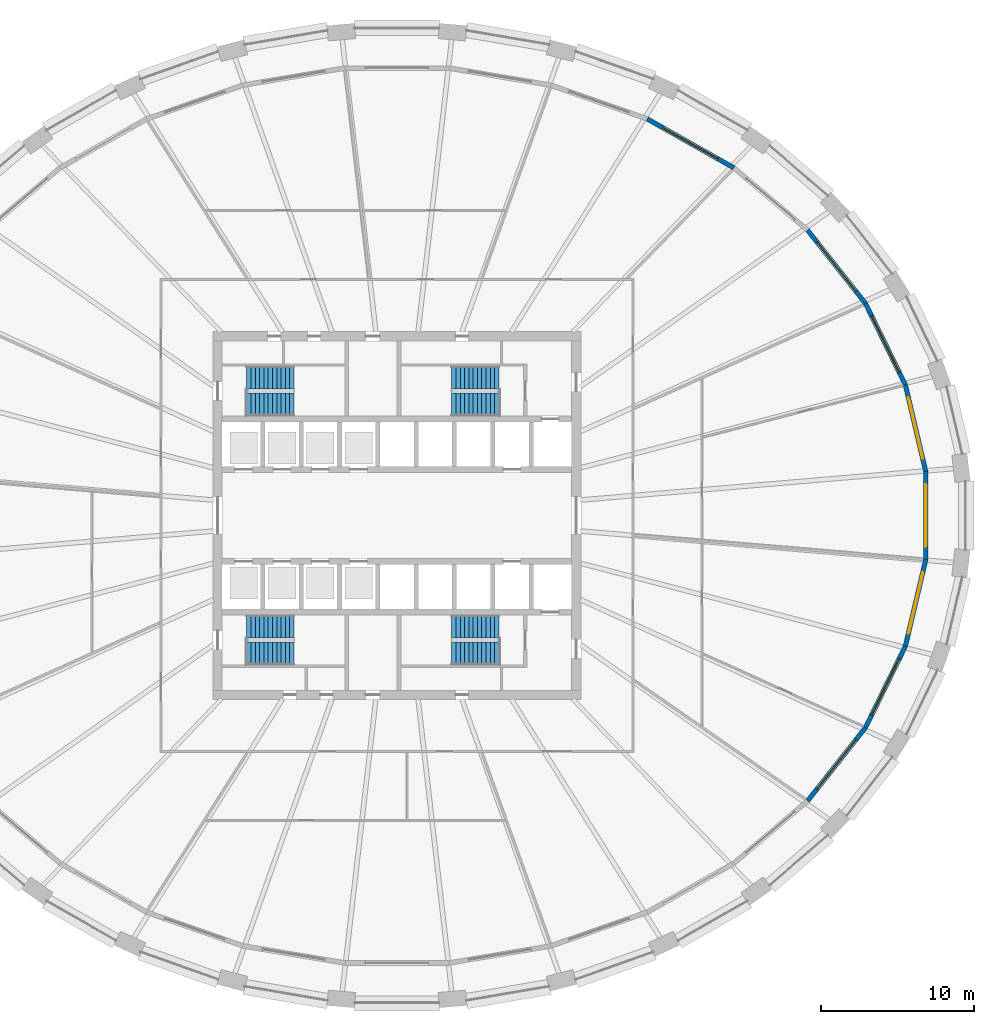
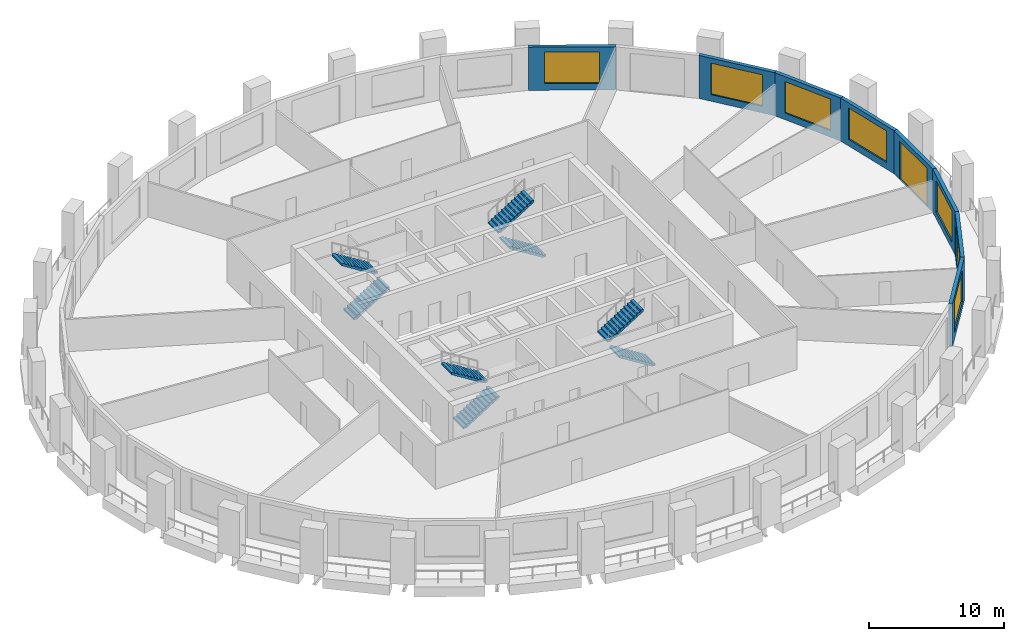
# One storey, part 7 of 10: 8 stair flights, 8 walls, 7 windows, 1 door, 8 openings, 4 elements without a shape of their own.
"""IFC4 building model written with IfcOpenShell, lengths in metres."""

from ifc_helpers import new_model, si_unit, direction, frame, frame_2d, origin, place, context, subcontext, project, spatial, polyline, rectangle, outline, extrude, material, layer, layer_set, type_object, element, fill, aggregate, save


model = new_model("IFC4")

# Units and contexts
model_context = context("Model", 3, precision=1e-05, world=origin(), true_north=direction((0.0, 1.0)))
body_context = subcontext(model_context, "Body", "Model", "MODEL_VIEW")
ifc_project = project(units=[si_unit("LENGTHUNIT", "METRE"), si_unit("AREAUNIT", "SQUARE_METRE"), si_unit("VOLUMEUNIT", "CUBIC_METRE"), si_unit("PLANEANGLEUNIT", "RADIAN"), si_unit("MASSUNIT", "GRAM", prefix="KILO")], contexts=[model_context])

# Site, building, storey
site_placement = place(None, origin())
site = spatial("IfcSite", under=ifc_project, at=site_placement, CompositionType="ELEMENT")
building_placement = place(site_placement, origin())
building = spatial("IfcBuilding", under=site, at=building_placement, Name="Halqa Exchange Tower", CompositionType="ELEMENT")
storey_placement = place(building_placement, frame((0.0, 0.0, 57.10009765625)))
storey = spatial("IfcBuildingStorey", under=building, at=storey_placement, Name="L12", CompositionType="ELEMENT", Elevation=57.10009765625)

# Wall, opening, window
ifc_material_1 = material(Name="Limestone cladding", Category="masonry")
ifc_layer_1 = layer(ifc_material_1, 0.0400390625)
ifc_material_2 = material(Name="Ventilated cavity")
ifc_layer_2 = layer(ifc_material_2, 0.030029296875, ventilated=True)
ifc_material_3 = material(Name="Mineral wool insulation")
ifc_layer_3 = layer(ifc_material_3, 0.10009765625)
ifc_material_4 = material(Name="Concrete C30/37", Category="concrete")
ifc_layer_4 = layer(ifc_material_4, 0.10009765625)
ifc_material_5 = material(Name="Internal plaster")
ifc_layer_5 = layer(ifc_material_5, 0.030029296875)
ifc_layer_set = layer_set([ifc_layer_1, ifc_layer_2, ifc_layer_3, ifc_layer_4, ifc_layer_5], Name="Stone-faced insulated wall 300")
wall_type = type_object("IfcWallType", Name="Stone-faced insulated wall 300", PredefinedType="STANDARD", material=ifc_layer_set)
wall_1_placement = place(storey_placement, frame((34.49951171875, 2.8779296875, 0.0), z_axis=(0.0, 0.0, 1.0), x_axis=(-0.228990053972, 0.973428762253, 0.0)))
wall_1 = element("IfcWall", 1, at=wall_1_placement, inside=storey, type_object=wall_type, Name="Glass-line wall 1", PredefinedType="STANDARD", context=body_context, shape_type="SweptSolid", body=[
    extrude(outline(polyline([(-0.017333984375, -0.14990234375), (5.815673828125, -0.14990234375), (5.781982421875, 0.14990234375), (0.017333984375, 0.14990234375), (-0.017333984375, -0.14990234375)])), origin(), (0.0, 0.0, 1.0), 3.89990234375),
])
opening_1_placement = place(wall_1_placement, frame((0.849365234375, 0.0, 0.60009765625)))
opening_1 = element("IfcOpeningElement", 2, at=opening_1_placement, cuts=wall_1, Name="Opening W-F1-01", PredefinedType="OPENING", context=body_context, shape_type="SweptSolid", body=[
    extrude(rectangle(XDim=4.10009765625, YDim=2.85009765625, at=frame_2d((2.050048828125, 1.425048828125))), frame((0.0, 0.162109375, 0.0), z_axis=(0.0, -1.0, 0.0), x_axis=(1.0, 0.0, 0.0)), (0.0, 0.0, 1.0), 0.323974609375),
])
ifc_material_6 = material(Name="Clear low-emissivity glass in aluminium frame", Category="aluminium")
window_type = type_object("IfcWindowType", Name="Fixed clear glazed window 4100 x 2850", PartitioningType="TRIPLE_PANEL_VERTICAL", PredefinedType="WINDOW", material=ifc_material_6)
window_1_placement = place(opening_1_placement, origin())
window_1 = element("IfcWindow", 3, at=window_1_placement, inside=storey, type_object=window_type, Name="Window 1", OverallHeight=2.85009765625, OverallWidth=4.10009765625, PartitioningType="TRIPLE_PANEL_VERTICAL", PredefinedType="WINDOW", context=body_context, shape_type="SweptSolid", body=[
    extrude(rectangle(XDim=4.10009765625, YDim=2.85009765625, at=frame_2d((2.050048828125, 1.425048828125))), frame((0.0, 0.030029296875, 0.0), z_axis=(0.0, -1.0, 0.0), x_axis=(1.0, 0.0, 0.0)), (0.0, 0.0, 1.0), 0.06005859375),
])
fill(opening_1, window_1)

wall_2_placement = place(storey_placement, frame((33.171630859375, 8.522705078125, 0.0), z_axis=(0.0, 0.0, 1.0), x_axis=(-0.439906146647, 0.898043752911, 0.0)))
wall_2 = element("IfcWall", 4, at=wall_2_placement, inside=storey, type_object=wall_type, Name="Glass-line wall 2", PredefinedType="STANDARD", context=body_context, shape_type="SweptSolid", body=[
    extrude(outline(polyline([(-0.016845703125, -0.14990234375), (5.93505859375, -0.14990234375), (5.90283203125, 0.14990234375), (0.016845703125, 0.14990234375), (-0.016845703125, -0.14990234375)])), origin(), (0.0, 0.0, 1.0), 3.89990234375),
])
opening_2_placement = place(wall_2_placement, frame((0.909423828125, 0.0, 0.60009765625)))
opening_2 = element("IfcOpeningElement", 5, at=opening_2_placement, cuts=wall_2, Name="Opening W-F1-02", PredefinedType="OPENING", context=body_context, shape_type="SweptSolid", body=[
    extrude(rectangle(XDim=4.10009765625, YDim=2.85009765625, at=frame_2d((2.050048828125, 1.425048828125))), frame((0.0, 0.162109375, 0.0), z_axis=(0.0, -1.0, 0.0), x_axis=(1.0, 0.0, 0.0)), (0.0, 0.0, 1.0), 0.323974609375),
])
window_2_placement = place(opening_2_placement, origin())
window_2 = element("IfcWindow", 6, at=window_2_placement, inside=storey, type_object=window_type, Name="Window 1", OverallHeight=2.85009765625, OverallWidth=4.10009765625, PartitioningType="TRIPLE_PANEL_VERTICAL", PredefinedType="WINDOW", context=body_context, shape_type="SweptSolid", body=[
    extrude(rectangle(XDim=4.10009765625, YDim=2.85009765625, at=frame_2d((2.050048828125, 1.425048828125))), frame((0.0, 0.030029296875, 0.0), z_axis=(0.0, -1.0, 0.0), x_axis=(1.0, 0.0, 0.0)), (0.0, 0.0, 1.0), 0.06005859375),
])
fill(opening_2, window_2)

wall_3_placement = place(storey_placement, frame((30.56787109375, 13.838134765625, 0.0), z_axis=(0.0, 0.0, 1.0), x_axis=(-0.619993638342, 0.78460683684, 0.0)))
wall_3 = element("IfcWall", 7, at=wall_3_placement, inside=storey, type_object=wall_type, Name="Glass-line wall 3", PredefinedType="STANDARD", context=body_context, shape_type="SweptSolid", body=[
    extrude(outline(polyline([(-0.01611328125, -0.14990234375), (6.109375, -0.14990234375), (6.0791015625, 0.14990234375), (0.01611328125, 0.14990234375), (-0.01611328125, -0.14990234375)])), origin(), (0.0, 0.0, 1.0), 3.89990234375),
])
opening_3_placement = place(wall_3_placement, frame((0.9970703125, 0.0, 0.60009765625)))
opening_3 = element("IfcOpeningElement", 8, at=opening_3_placement, cuts=wall_3, Name="Opening W-F1-03", PredefinedType="OPENING", context=body_context, shape_type="SweptSolid", body=[
    extrude(rectangle(XDim=4.10009765625, YDim=2.85009765625, at=frame_2d((2.050048828125, 1.425048828125))), frame((0.0, 0.162109375, 0.0), z_axis=(0.0, -1.0, 0.0), x_axis=(1.0, 0.0, 0.0)), (0.0, 0.0, 1.0), 0.323974609375),
])
window_3_placement = place(opening_3_placement, origin())
window_3 = element("IfcWindow", 9, at=window_3_placement, inside=storey, type_object=window_type, Name="Window 1", OverallHeight=2.85009765625, OverallWidth=4.10009765625, PartitioningType="TRIPLE_PANEL_VERTICAL", PredefinedType="WINDOW", context=body_context, shape_type="SweptSolid", body=[
    extrude(rectangle(XDim=4.10009765625, YDim=2.85009765625, at=frame_2d((2.050048828125, 1.425048828125))), frame((0.0, 0.030029296875, 0.0), z_axis=(0.0, -1.0, 0.0), x_axis=(1.0, 0.0, 0.0)), (0.0, 0.0, 1.0), 0.06005859375),
])
fill(opening_3, window_3)

wall_4_placement = place(storey_placement, frame((21.982666015625, 22.68408203125, 0.0), z_axis=(0.0, 0.0, 1.0), x_axis=(-0.870647609977, 0.491907246584, 0.0)))
wall_4 = element("IfcWall", 10, at=wall_4_placement, inside=storey, type_object=wall_type, Name="Glass-line wall 5", PredefinedType="STANDARD", context=body_context, shape_type="SweptSolid", body=[
    extrude(outline(polyline([(-0.01416015625, -0.14990234375), (6.502685546875, -0.14990234375), (6.475830078125, 0.14990234375), (0.01416015625, 0.14990234375), (-0.01416015625, -0.14990234375)])), origin(), (0.0, 0.0, 1.0), 3.89990234375),
])
opening_4_placement = place(wall_4_placement, frame((1.194580078125, 0.0, 0.60009765625)))
opening_4 = element("IfcOpeningElement", 11, at=opening_4_placement, cuts=wall_4, Name="Opening W-F1-05", PredefinedType="OPENING", context=body_context, shape_type="SweptSolid", body=[
    extrude(rectangle(XDim=4.10009765625, YDim=2.85009765625, at=frame_2d((2.050048828125, 1.425048828125))), frame((0.0, 0.162109375, 0.0), z_axis=(0.0, -1.0, 0.0), x_axis=(1.0, 0.0, 0.0)), (0.0, 0.0, 1.0), 0.323974609375),
])
window_4_placement = place(opening_4_placement, origin())
window_4 = element("IfcWindow", 12, at=window_4_placement, inside=storey, type_object=window_type, Name="Window 1", OverallHeight=2.85009765625, OverallWidth=4.10009765625, PartitioningType="TRIPLE_PANEL_VERTICAL", PredefinedType="WINDOW", context=body_context, shape_type="SweptSolid", body=[
    extrude(rectangle(XDim=4.10009765625, YDim=2.85009765625, at=frame_2d((2.050048828125, 1.425048828125))), frame((0.0, 0.030029296875, 0.0), z_axis=(0.0, -1.0, 0.0), x_axis=(1.0, 0.0, 0.0)), (0.0, 0.0, 1.0), 0.06005859375),
])
fill(opening_4, window_4)

wall_5_placement = place(storey_placement, frame((26.78955078125, -18.61962890625, 0.0), z_axis=(0.0, 0.0, 1.0), x_axis=(0.619993638342, 0.78460683684, 0.0)))
wall_5 = element("IfcWall", 13, at=wall_5_placement, inside=storey, type_object=wall_type, Name="Glass-line wall 29", PredefinedType="STANDARD", context=body_context, shape_type="SweptSolid", body=[
    extrude(outline(polyline([(-0.01513671875, -0.14990234375), (6.1103515625, -0.14990234375), (6.078125, 0.14990234375), (0.01513671875, 0.14990234375), (-0.01513671875, -0.14990234375)])), origin(), (0.0, 0.0, 1.0), 3.89990234375),
])
opening_5_placement = place(wall_5_placement, frame((0.9970703125, 0.0, 0.60009765625)))
opening_5 = element("IfcOpeningElement", 14, at=opening_5_placement, cuts=wall_5, Name="Opening W-F1-29", PredefinedType="OPENING", context=body_context, shape_type="SweptSolid", body=[
    extrude(rectangle(XDim=4.10009765625, YDim=2.85009765625, at=frame_2d((2.050048828125, 1.425048828125))), frame((0.0, 0.162109375, 0.0), z_axis=(0.0, -1.0, 0.0), x_axis=(1.0, 0.0, 0.0)), (0.0, 0.0, 1.0), 0.323974609375),
])
window_5_placement = place(opening_5_placement, origin())
window_5 = element("IfcWindow", 15, at=window_5_placement, inside=storey, type_object=window_type, Name="Window 1", OverallHeight=2.85009765625, OverallWidth=4.10009765625, PartitioningType="TRIPLE_PANEL_VERTICAL", PredefinedType="WINDOW", context=body_context, shape_type="SweptSolid", body=[
    extrude(rectangle(XDim=4.10009765625, YDim=2.85009765625, at=frame_2d((2.050048828125, 1.425048828125))), frame((0.0, 0.030029296875, 0.0), z_axis=(0.0, -1.0, 0.0), x_axis=(1.0, 0.0, 0.0)), (0.0, 0.0, 1.0), 0.06005859375),
])
fill(opening_5, window_5)

wall_6_placement = place(storey_placement, frame((30.56787109375, -13.838134765625, 0.0), z_axis=(0.0, 0.0, 1.0), x_axis=(0.439906146647, 0.898043752911, 0.0)))
wall_6 = element("IfcWall", 16, at=wall_6_placement, inside=storey, type_object=wall_type, Name="Glass-line wall 30", PredefinedType="STANDARD", context=body_context, shape_type="SweptSolid", body=[
    extrude(outline(polyline([(-0.01611328125, -0.14990234375), (5.935791015625, -0.14990234375), (5.902099609375, 0.14990234375), (0.01611328125, 0.14990234375), (-0.01611328125, -0.14990234375)])), origin(), (0.0, 0.0, 1.0), 3.89990234375),
])
opening_6_placement = place(wall_6_placement, frame((0.909423828125, 0.0, 0.60009765625)))
opening_6 = element("IfcOpeningElement", 17, at=opening_6_placement, cuts=wall_6, Name="Opening W-F1-30", PredefinedType="OPENING", context=body_context, shape_type="SweptSolid", body=[
    extrude(rectangle(XDim=4.10009765625, YDim=2.85009765625, at=frame_2d((2.050048828125, 1.425048828125))), frame((0.0, 0.162109375, 0.0), z_axis=(0.0, -1.0, 0.0), x_axis=(1.0, 0.0, 0.0)), (0.0, 0.0, 1.0), 0.323974609375),
])
window_6_placement = place(opening_6_placement, origin())
window_6 = element("IfcWindow", 18, at=window_6_placement, inside=storey, type_object=window_type, Name="Window 1", OverallHeight=2.85009765625, OverallWidth=4.10009765625, PartitioningType="TRIPLE_PANEL_VERTICAL", PredefinedType="WINDOW", context=body_context, shape_type="SweptSolid", body=[
    extrude(rectangle(XDim=4.10009765625, YDim=2.85009765625, at=frame_2d((2.050048828125, 1.425048828125))), frame((0.0, 0.030029296875, 0.0), z_axis=(0.0, -1.0, 0.0), x_axis=(1.0, 0.0, 0.0)), (0.0, 0.0, 1.0), 0.06005859375),
])
fill(opening_6, window_6)

wall_7_placement = place(storey_placement, frame((33.171630859375, -8.522705078125, 0.0), z_axis=(0.0, 0.0, 1.0), x_axis=(0.228990053972, 0.973428762253, 0.0)))
wall_7 = element("IfcWall", 19, at=wall_7_placement, inside=storey, type_object=wall_type, Name="Glass-line wall 31", PredefinedType="STANDARD", context=body_context, shape_type="SweptSolid", body=[
    extrude(outline(polyline([(-0.016845703125, -0.14990234375), (5.816162109375, -0.14990234375), (5.781494140625, 0.14990234375), (0.016845703125, 0.14990234375), (-0.016845703125, -0.14990234375)])), origin(), (0.0, 0.0, 1.0), 3.89990234375),
])
opening_7_placement = place(wall_7_placement, frame((0.849365234375, 0.0, 0.60009765625)))
opening_7 = element("IfcOpeningElement", 20, at=opening_7_placement, cuts=wall_7, Name="Opening W-F1-31", PredefinedType="OPENING", context=body_context, shape_type="SweptSolid", body=[
    extrude(rectangle(XDim=4.10009765625, YDim=2.85009765625, at=frame_2d((2.050048828125, 1.425048828125))), frame((0.0, 0.162109375, 0.0), z_axis=(0.0, -1.0, 0.0), x_axis=(1.0, 0.0, 0.0)), (0.0, 0.0, 1.0), 0.323974609375),
])
window_7_placement = place(opening_7_placement, origin())
window_7 = element("IfcWindow", 21, at=window_7_placement, inside=storey, type_object=window_type, Name="Window 1", OverallHeight=2.85009765625, OverallWidth=4.10009765625, PartitioningType="TRIPLE_PANEL_VERTICAL", PredefinedType="WINDOW", context=body_context, shape_type="SweptSolid", body=[
    extrude(rectangle(XDim=4.10009765625, YDim=2.85009765625, at=frame_2d((2.050048828125, 1.425048828125))), frame((0.0, 0.030029296875, 0.0), z_axis=(0.0, -1.0, 0.0), x_axis=(1.0, 0.0, 0.0)), (0.0, 0.0, 1.0), 0.06005859375),
])
fill(opening_7, window_7)

# Wall, opening, door
wall_8_placement = place(storey_placement, frame((34.49951171875, -2.8779296875, 0.0), z_axis=(0.0, 0.0, 1.0), x_axis=(0.0, 1.0, 0.0)))
wall_8 = element("IfcWall", 22, at=wall_8_placement, inside=storey, type_object=wall_type, Name="Glass-line wall 32", PredefinedType="STANDARD", context=body_context, shape_type="SweptSolid", body=[
    extrude(outline(polyline([(-0.017333984375, -0.14990234375), (5.773193359375, -0.14990234375), (5.738525390625, 0.14990234375), (0.017333984375, 0.14990234375), (-0.017333984375, -0.14990234375)])), origin(), (0.0, 0.0, 1.0), 3.89990234375),
])
opening_8_placement = place(wall_8_placement, frame((0.827880859375, 0.0, 0.0)))
opening_8 = element("IfcOpeningElement", 23, at=opening_8_placement, cuts=wall_8, Name="Opening LG-F1-08", PredefinedType="OPENING", context=body_context, shape_type="SweptSolid", body=[
    extrude(rectangle(XDim=4.10009765625, YDim=3.449951171875, at=frame_2d((2.050048828125, 1.72509765625))), frame((0.0, 0.162109375, 0.0), z_axis=(0.0, -1.0, 0.0), x_axis=(1.0, 0.0, 0.0)), (0.0, 0.0, 1.0), 0.323974609375),
])
door_type = type_object("IfcDoorType", Name="Glazed sliding loggia door 4100 x 3450", OperationType="DOUBLE_DOOR_SLIDING", PredefinedType="DOOR", material=ifc_material_6)
door_placement = place(opening_8_placement, origin())
door = element("IfcDoor", 24, at=door_placement, inside=storey, type_object=door_type, Name="Loggia door 8", OperationType="DOUBLE_DOOR_SLIDING", OverallHeight=3.449951171875, OverallWidth=4.10009765625, PredefinedType="DOOR", context=body_context, shape_type="SweptSolid", body=[
    extrude(rectangle(XDim=4.10009765625, YDim=3.449951171875, at=frame_2d((2.050048828125, 1.72509765625))), frame((0.0, 0.02490234375, 0.0), z_axis=(0.0, -1.0, 0.0), x_axis=(1.0, 0.0, 0.0)), (0.0, 0.0, 1.0), 0.050048828125),
])
fill(opening_8, door)

# Stair, stair flights
stair_type = type_object("IfcStairType", Name="Exit stair 1500 wide", PredefinedType="HALF_TURN_STAIR", material=ifc_material_4)
stair_1_placement = place(storey_placement, origin())
stair_1 = element("IfcStair", 25, at=stair_1_placement, inside=storey, type_object=stair_type, Name="Exit stair ST1", PredefinedType="HALF_TURN_STAIR")
stair_flight_type = type_object("IfcStairFlightType", Name="Stair flight 1500 wide", PredefinedType="STRAIGHT", material=ifc_material_4)
stair_flight_1_placement = place(storey_placement, frame((-9.800048828125, 7.25, 0.0), z_axis=(0.0, 0.0, 1.0), x_axis=(1.0, 0.0, 0.0)))
stair_flight_1 = element("IfcStairFlight", 26, at=stair_flight_1_placement, type_object=stair_flight_type, Name="ST1 flight 1", NumberOfRisers=12, NumberOfTreads=11, PredefinedType="STRAIGHT", RiserHeight=0.175, TreadLength=0.28, context=body_context, shape_type="SweptSolid", body=[
    extrude(outline(polyline([(0.0, 0.0), (0.0, 0.175048828125), (0.280029296875, 0.175048828125), (0.280029296875, 0.35009765625), (0.56005859375, 0.35009765625), (0.56005859375, 0.52490234375), (0.840087890625, 0.52490234375), (0.840087890625, 0.699951171875), (1.1201171875, 0.699951171875), (1.1201171875, 0.875), (1.39990234375, 0.875), (1.39990234375, 1.050048828125), (1.679931640625, 1.050048828125), (1.679931640625, 1.22509765625), (1.9599609375, 1.22509765625), (1.9599609375, 1.39990234375), (2.239990234375, 1.39990234375), (2.239990234375, 1.574951171875), (2.52001953125, 1.574951171875), (2.52001953125, 1.75), (2.800048828125, 1.75), (2.800048828125, 1.925048828125), (3.080078125, 1.925048828125), (3.080078125, 2.10009765625), (3.080078125, 1.748291015625), (0.28271484375, 0.0), (0.0, 0.0)])), frame((0.0, 0.75, 0.0), z_axis=(0.0, -1.0, 0.0), x_axis=(1.0, 0.0, 0.0)), (0.0, 0.0, 1.0), 1.5),
])
stair_flight_2_placement = place(storey_placement, frame((-6.719970703125, 9.0, 2.099853515625), z_axis=(0.0, 0.0, 1.0), x_axis=(-1.0, 0.0, 0.0)))
stair_flight_2 = element("IfcStairFlight", 27, at=stair_flight_2_placement, type_object=stair_flight_type, Name="ST1 flight 2", NumberOfRisers=12, NumberOfTreads=11, PredefinedType="STRAIGHT", RiserHeight=0.175, TreadLength=0.28, context=body_context, shape_type="SweptSolid", body=[
    extrude(outline(polyline([(0.0, 0.0), (0.0, 0.175048828125), (0.280029296875, 0.175048828125), (0.280029296875, 0.35009765625), (0.56005859375, 0.35009765625), (0.56005859375, 0.52490234375), (0.840087890625, 0.52490234375), (0.840087890625, 0.699951171875), (1.1201171875, 0.699951171875), (1.1201171875, 0.875), (1.39990234375, 0.875), (1.39990234375, 1.050048828125), (1.679931640625, 1.050048828125), (1.679931640625, 1.22509765625), (1.9599609375, 1.22509765625), (1.9599609375, 1.39990234375), (2.239990234375, 1.39990234375), (2.239990234375, 1.574951171875), (2.52001953125, 1.574951171875), (2.52001953125, 1.75), (2.800048828125, 1.75), (2.800048828125, 1.925048828125), (3.080078125, 1.925048828125), (3.080078125, 2.10009765625), (3.080078125, 1.748291015625), (0.28271484375, 0.0), (0.0, 0.0)])), frame((0.0, 0.75, 0.0), z_axis=(0.0, -1.0, 0.0), x_axis=(1.0, 0.0, 0.0)), (0.0, 0.0, 1.0), 1.5),
])
aggregate(stair_1, [stair_flight_1, stair_flight_2])

stair_2_placement = place(storey_placement, origin())
stair_2 = element("IfcStair", 28, at=stair_2_placement, inside=storey, type_object=stair_type, Name="Exit stair ST2", PredefinedType="HALF_TURN_STAIR")
stair_flight_3_placement = place(storey_placement, frame((6.64990234375, 7.25, 0.0), z_axis=(0.0, 0.0, 1.0), x_axis=(-1.0, 0.0, 0.0)))
stair_flight_3 = element("IfcStairFlight", 29, at=stair_flight_3_placement, type_object=stair_flight_type, Name="ST2 flight 1", NumberOfRisers=12, NumberOfTreads=11, PredefinedType="STRAIGHT", RiserHeight=0.175, TreadLength=0.28, context=body_context, shape_type="SweptSolid", body=[
    extrude(outline(polyline([(0.0, 0.0), (0.0, 0.175048828125), (0.280029296875, 0.175048828125), (0.280029296875, 0.35009765625), (0.56005859375, 0.35009765625), (0.56005859375, 0.52490234375), (0.840087890625, 0.52490234375), (0.840087890625, 0.699951171875), (1.1201171875, 0.699951171875), (1.1201171875, 0.875), (1.39990234375, 0.875), (1.39990234375, 1.050048828125), (1.679931640625, 1.050048828125), (1.679931640625, 1.22509765625), (1.9599609375, 1.22509765625), (1.9599609375, 1.39990234375), (2.239990234375, 1.39990234375), (2.239990234375, 1.574951171875), (2.52001953125, 1.574951171875), (2.52001953125, 1.75), (2.800048828125, 1.75), (2.800048828125, 1.925048828125), (3.080078125, 1.925048828125), (3.080078125, 2.10009765625), (3.080078125, 1.748291015625), (0.28271484375, 0.0), (0.0, 0.0)])), frame((0.0, 0.75, 0.0), z_axis=(0.0, -1.0, 0.0), x_axis=(1.0, 0.0, 0.0)), (0.0, 0.0, 1.0), 1.5),
])
stair_flight_4_placement = place(storey_placement, frame((3.570068359375, 9.0, 2.099853515625), z_axis=(0.0, 0.0, 1.0), x_axis=(1.0, 0.0, 0.0)))
stair_flight_4 = element("IfcStairFlight", 30, at=stair_flight_4_placement, type_object=stair_flight_type, Name="ST2 flight 2", NumberOfRisers=12, NumberOfTreads=11, PredefinedType="STRAIGHT", RiserHeight=0.175, TreadLength=0.28, context=body_context, shape_type="SweptSolid", body=[
    extrude(outline(polyline([(0.0, 0.0), (0.0, 0.175048828125), (0.280029296875, 0.175048828125), (0.280029296875, 0.35009765625), (0.56005859375, 0.35009765625), (0.56005859375, 0.52490234375), (0.840087890625, 0.52490234375), (0.840087890625, 0.699951171875), (1.1201171875, 0.699951171875), (1.1201171875, 0.875), (1.39990234375, 0.875), (1.39990234375, 1.050048828125), (1.679931640625, 1.050048828125), (1.679931640625, 1.22509765625), (1.9599609375, 1.22509765625), (1.9599609375, 1.39990234375), (2.239990234375, 1.39990234375), (2.239990234375, 1.574951171875), (2.52001953125, 1.574951171875), (2.52001953125, 1.75), (2.800048828125, 1.75), (2.800048828125, 1.925048828125), (3.080078125, 1.925048828125), (3.080078125, 2.10009765625), (3.080078125, 1.748291015625), (0.28271484375, 0.0), (0.0, 0.0)])), frame((0.0, 0.75, 0.0), z_axis=(0.0, -1.0, 0.0), x_axis=(1.0, 0.0, 0.0)), (0.0, 0.0, 1.0), 1.5),
])
aggregate(stair_2, [stair_flight_3, stair_flight_4])

stair_3_placement = place(storey_placement, origin())
stair_3 = element("IfcStair", 31, at=stair_3_placement, inside=storey, type_object=stair_type, Name="Exit stair ST3", PredefinedType="HALF_TURN_STAIR")
stair_flight_5_placement = place(storey_placement, frame((-9.800048828125, -9.0, 0.0), z_axis=(0.0, 0.0, 1.0), x_axis=(1.0, 0.0, 0.0)))
stair_flight_5 = element("IfcStairFlight", 32, at=stair_flight_5_placement, type_object=stair_flight_type, Name="ST3 flight 1", NumberOfRisers=12, NumberOfTreads=11, PredefinedType="STRAIGHT", RiserHeight=0.175, TreadLength=0.28, context=body_context, shape_type="SweptSolid", body=[
    extrude(outline(polyline([(0.0, 0.0), (0.0, 0.175048828125), (0.280029296875, 0.175048828125), (0.280029296875, 0.35009765625), (0.56005859375, 0.35009765625), (0.56005859375, 0.52490234375), (0.840087890625, 0.52490234375), (0.840087890625, 0.699951171875), (1.1201171875, 0.699951171875), (1.1201171875, 0.875), (1.39990234375, 0.875), (1.39990234375, 1.050048828125), (1.679931640625, 1.050048828125), (1.679931640625, 1.22509765625), (1.9599609375, 1.22509765625), (1.9599609375, 1.39990234375), (2.239990234375, 1.39990234375), (2.239990234375, 1.574951171875), (2.52001953125, 1.574951171875), (2.52001953125, 1.75), (2.800048828125, 1.75), (2.800048828125, 1.925048828125), (3.080078125, 1.925048828125), (3.080078125, 2.10009765625), (3.080078125, 1.748291015625), (0.28271484375, 0.0), (0.0, 0.0)])), frame((0.0, 0.75, 0.0), z_axis=(0.0, -1.0, 0.0), x_axis=(1.0, 0.0, 0.0)), (0.0, 0.0, 1.0), 1.5),
])
stair_flight_6_placement = place(storey_placement, frame((-6.719970703125, -7.25, 2.099853515625), z_axis=(0.0, 0.0, 1.0), x_axis=(-1.0, 0.0, 0.0)))
stair_flight_6 = element("IfcStairFlight", 33, at=stair_flight_6_placement, type_object=stair_flight_type, Name="ST3 flight 2", NumberOfRisers=12, NumberOfTreads=11, PredefinedType="STRAIGHT", RiserHeight=0.175, TreadLength=0.28, context=body_context, shape_type="SweptSolid", body=[
    extrude(outline(polyline([(0.0, 0.0), (0.0, 0.175048828125), (0.280029296875, 0.175048828125), (0.280029296875, 0.35009765625), (0.56005859375, 0.35009765625), (0.56005859375, 0.52490234375), (0.840087890625, 0.52490234375), (0.840087890625, 0.699951171875), (1.1201171875, 0.699951171875), (1.1201171875, 0.875), (1.39990234375, 0.875), (1.39990234375, 1.050048828125), (1.679931640625, 1.050048828125), (1.679931640625, 1.22509765625), (1.9599609375, 1.22509765625), (1.9599609375, 1.39990234375), (2.239990234375, 1.39990234375), (2.239990234375, 1.574951171875), (2.52001953125, 1.574951171875), (2.52001953125, 1.75), (2.800048828125, 1.75), (2.800048828125, 1.925048828125), (3.080078125, 1.925048828125), (3.080078125, 2.10009765625), (3.080078125, 1.748291015625), (0.28271484375, 0.0), (0.0, 0.0)])), frame((0.0, 0.75, 0.0), z_axis=(0.0, -1.0, 0.0), x_axis=(1.0, 0.0, 0.0)), (0.0, 0.0, 1.0), 1.5),
])
aggregate(stair_3, [stair_flight_5, stair_flight_6])

stair_4_placement = place(storey_placement, origin())
stair_4 = element("IfcStair", 34, at=stair_4_placement, inside=storey, type_object=stair_type, Name="Exit stair ST4", PredefinedType="HALF_TURN_STAIR")
stair_flight_7_placement = place(storey_placement, frame((6.64990234375, -9.0, 0.0), z_axis=(0.0, 0.0, 1.0), x_axis=(-1.0, 0.0, 0.0)))
stair_flight_7 = element("IfcStairFlight", 35, at=stair_flight_7_placement, type_object=stair_flight_type, Name="ST4 flight 1", NumberOfRisers=12, NumberOfTreads=11, PredefinedType="STRAIGHT", RiserHeight=0.175, TreadLength=0.28, context=body_context, shape_type="SweptSolid", body=[
    extrude(outline(polyline([(0.0, 0.0), (0.0, 0.175048828125), (0.280029296875, 0.175048828125), (0.280029296875, 0.35009765625), (0.56005859375, 0.35009765625), (0.56005859375, 0.52490234375), (0.840087890625, 0.52490234375), (0.840087890625, 0.699951171875), (1.1201171875, 0.699951171875), (1.1201171875, 0.875), (1.39990234375, 0.875), (1.39990234375, 1.050048828125), (1.679931640625, 1.050048828125), (1.679931640625, 1.22509765625), (1.9599609375, 1.22509765625), (1.9599609375, 1.39990234375), (2.239990234375, 1.39990234375), (2.239990234375, 1.574951171875), (2.52001953125, 1.574951171875), (2.52001953125, 1.75), (2.800048828125, 1.75), (2.800048828125, 1.925048828125), (3.080078125, 1.925048828125), (3.080078125, 2.10009765625), (3.080078125, 1.748291015625), (0.28271484375, 0.0), (0.0, 0.0)])), frame((0.0, 0.75, 0.0), z_axis=(0.0, -1.0, 0.0), x_axis=(1.0, 0.0, 0.0)), (0.0, 0.0, 1.0), 1.5),
])
stair_flight_8_placement = place(storey_placement, frame((3.570068359375, -7.25, 2.099853515625), z_axis=(0.0, 0.0, 1.0), x_axis=(1.0, 0.0, 0.0)))
stair_flight_8 = element("IfcStairFlight", 36, at=stair_flight_8_placement, type_object=stair_flight_type, Name="ST4 flight 2", NumberOfRisers=12, NumberOfTreads=11, PredefinedType="STRAIGHT", RiserHeight=0.175, TreadLength=0.28, context=body_context, shape_type="SweptSolid", body=[
    extrude(outline(polyline([(0.0, 0.0), (0.0, 0.175048828125), (0.280029296875, 0.175048828125), (0.280029296875, 0.35009765625), (0.56005859375, 0.35009765625), (0.56005859375, 0.52490234375), (0.840087890625, 0.52490234375), (0.840087890625, 0.699951171875), (1.1201171875, 0.699951171875), (1.1201171875, 0.875), (1.39990234375, 0.875), (1.39990234375, 1.050048828125), (1.679931640625, 1.050048828125), (1.679931640625, 1.22509765625), (1.9599609375, 1.22509765625), (1.9599609375, 1.39990234375), (2.239990234375, 1.39990234375), (2.239990234375, 1.574951171875), (2.52001953125, 1.574951171875), (2.52001953125, 1.75), (2.800048828125, 1.75), (2.800048828125, 1.925048828125), (3.080078125, 1.925048828125), (3.080078125, 2.10009765625), (3.080078125, 1.748291015625), (0.28271484375, 0.0), (0.0, 0.0)])), frame((0.0, 0.75, 0.0), z_axis=(0.0, -1.0, 0.0), x_axis=(1.0, 0.0, 0.0)), (0.0, 0.0, 1.0), 1.5),
])
aggregate(stair_4, [stair_flight_7, stair_flight_8])

save(model, "model.ifc")
